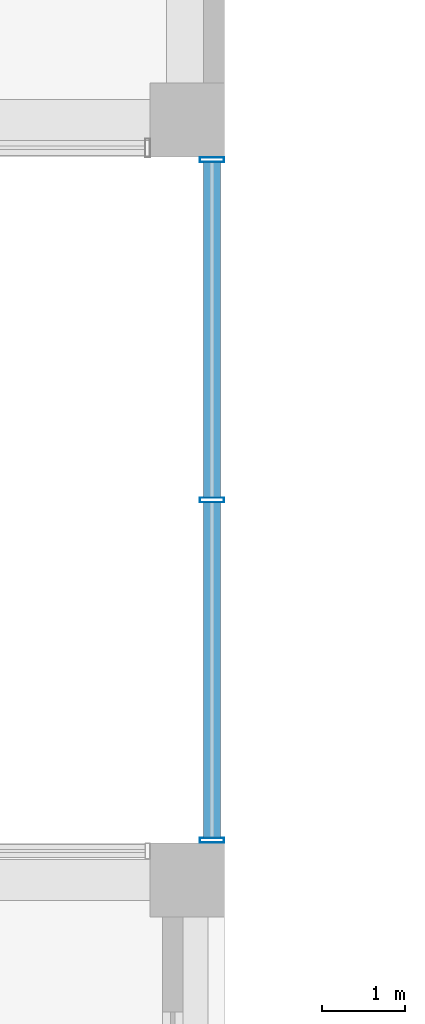
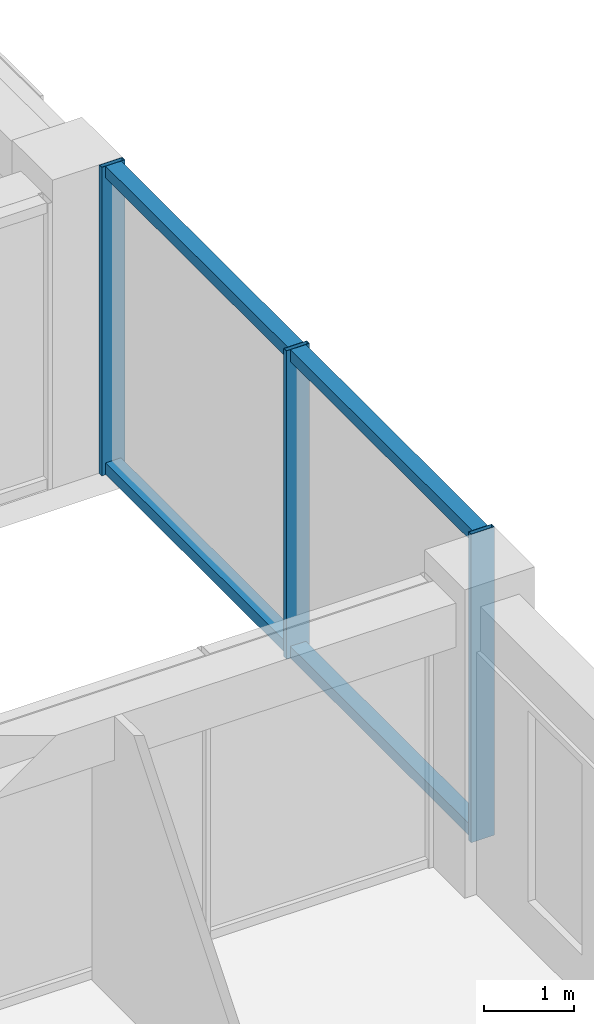
# One storey, part 19 of 36: 7 members, 1 element without a shape of its own.
"""IFC4 building model written with IfcOpenShell, lengths in metres."""

from ifc_helpers import new_model, si_unit, direction, frame, origin, origin_2d, place, context, subcontext, project, spatial, hollow_rectangle, extrude, material, layer, layer_set, material_profile, profile_set, type_object, element, aggregate, save


model = new_model("IFC4")

# Units and contexts
model_context = context("Model", 3, precision=1e-05, world=origin(), true_north=direction((0.0, 1.0)))
body_context = subcontext(model_context, "Body", "Model", "MODEL_VIEW")
ifc_project = project(units=[si_unit("LENGTHUNIT", "METRE"), si_unit("AREAUNIT", "SQUARE_METRE"), si_unit("VOLUMEUNIT", "CUBIC_METRE"), si_unit("PLANEANGLEUNIT", "RADIAN"), si_unit("MASSUNIT", "GRAM", prefix="KILO")], contexts=[model_context])

# Site, building, storey
site_placement = place(None, origin())
site = spatial("IfcSite", under=ifc_project, at=site_placement, CompositionType="ELEMENT")
building_placement = place(site_placement, origin())
building = spatial("IfcBuilding", under=site, at=building_placement, Name="Nzadi Deep Aquarium and Research Tower", CompositionType="ELEMENT")
storey_placement = place(building_placement, frame((0.0, 0.0, 44.5)))
storey = spatial("IfcBuildingStorey", under=building, at=storey_placement, Name="L08", CompositionType="ELEMENT", Elevation=44.5)

# Curtain wall, members
ifc_material_1 = material(Name="Aluminium unitised frame wind post", Category="aluminium")
ifc_layer = layer(ifc_material_1, 0.300048828125)
ifc_layer_set = layer_set([ifc_layer], Name="Aluminium unitised frame wind post")
curtain_wall_type = type_object("IfcCurtainWallType", Name="Curtain wall Slot End 300", PredefinedType="NOTDEFINED", material=ifc_layer_set)
curtain_wall_placement = place(storey_placement, origin())
curtain_wall = element("IfcCurtainWall", 1, at=curtain_wall_placement, inside=storey, type_object=curtain_wall_type, Name="Glazed slot end east L08", PredefinedType="NOTDEFINED")
ifc_material_2 = material(Name="Aluminium unitised frame wind post", Category="aluminium")
ifc_material_profile_1 = material_profile(ifc_material_2, hollow_rectangle(XDim=0.300048828125, YDim=0.06005859375, WallThickness=0.0048828125, at=origin_2d()))
ifc_profile_set_1 = profile_set([ifc_material_profile_1], Name="Aluminium unitised frame wind post")
member_type_1 = type_object("IfcMemberType", Name="Mullion 60x300 Slot End", PredefinedType="MULLION", material=ifc_profile_set_1)
member_1_placement = place(storey_placement, frame((48.300048828125, 18.8798828125, 0.0), z_axis=(0.0, 0.0, 1.0), x_axis=(-1.0, 0.0, 0.0)))
member_1 = element("IfcMember", 2, at=member_1_placement, type_object=member_type_1, Name="CW208 mullion 1", PredefinedType="MULLION", context=body_context, shape_type="SweptSolid", body=[
    extrude(hollow_rectangle(XDim=0.300048828125, YDim=0.06005859375, WallThickness=0.0048828125, at=origin_2d()), origin(), (0.0, 0.0, 1.0), 4.199951171875),
])
member_2_placement = place(storey_placement, frame((48.300048828125, 23.0, 0.0), z_axis=(0.0, 0.0, 1.0), x_axis=(-1.0, 0.0, 0.0)))
member_2 = element("IfcMember", 3, at=member_2_placement, type_object=member_type_1, Name="CW208 mullion 2", PredefinedType="MULLION", context=body_context, shape_type="SweptSolid", body=[
    extrude(hollow_rectangle(XDim=0.300048828125, YDim=0.06005859375, WallThickness=0.0048828125, at=origin_2d()), origin(), (0.0, 0.0, 1.0), 4.199951171875),
])
member_3_placement = place(storey_placement, frame((48.300048828125, 27.1201171875, 0.0), z_axis=(0.0, 0.0, 1.0), x_axis=(-1.0, 0.0, 0.0)))
member_3 = element("IfcMember", 4, at=member_3_placement, type_object=member_type_1, Name="CW208 mullion 3", PredefinedType="MULLION", context=body_context, shape_type="SweptSolid", body=[
    extrude(hollow_rectangle(XDim=0.300048828125, YDim=0.06005859375, WallThickness=0.0048828125, at=origin_2d()), origin(), (0.0, 0.0, 1.0), 4.199951171875),
])
ifc_material_3 = material(Name="Aluminium unitised frame wind post", Category="aluminium")
ifc_material_profile_2 = material_profile(ifc_material_3, hollow_rectangle(XDim=0.199951171875, YDim=0.159912109375, WallThickness=0.0048828125, at=origin_2d()))
ifc_profile_set_2 = profile_set([ifc_material_profile_2], Name="Aluminium unitised frame wind post")
member_type_2 = type_object("IfcMemberType", Name="Transom 160x200 Slot End", PredefinedType="MULLION", material=ifc_profile_set_2)
member_4_placement = place(storey_placement, frame((48.300048828125, 18.909912109375, 0.080078125), z_axis=(0.0, 1.0, 0.0), x_axis=(-1.0, 0.0, 0.0)))
member_4 = element("IfcMember", 5, at=member_4_placement, type_object=member_type_2, Name="CW208 transom 1.1", PredefinedType="MULLION", context=body_context, shape_type="SweptSolid", body=[
    extrude(hollow_rectangle(XDim=0.199951171875, YDim=0.159912109375, WallThickness=0.0048828125, at=origin_2d()), origin(), (0.0, 0.0, 1.0), 4.06005859375),
])
member_5_placement = place(storey_placement, frame((48.300048828125, 18.909912109375, 4.1201171875), z_axis=(0.0, 1.0, 0.0), x_axis=(-1.0, 0.0, 0.0)))
member_5 = element("IfcMember", 6, at=member_5_placement, type_object=member_type_2, Name="CW208 transom 1.2", PredefinedType="MULLION", context=body_context, shape_type="SweptSolid", body=[
    extrude(hollow_rectangle(XDim=0.199951171875, YDim=0.159912109375, WallThickness=0.0048828125, at=origin_2d()), origin(), (0.0, 0.0, 1.0), 4.06005859375),
])
member_6_placement = place(storey_placement, frame((48.300048828125, 23.030029296875, 0.080078125), z_axis=(0.0, 1.0, 0.0), x_axis=(-1.0, 0.0, 0.0)))
member_6 = element("IfcMember", 7, at=member_6_placement, type_object=member_type_2, Name="CW208 transom 2.1", PredefinedType="MULLION", context=body_context, shape_type="SweptSolid", body=[
    extrude(hollow_rectangle(XDim=0.199951171875, YDim=0.159912109375, WallThickness=0.0048828125, at=origin_2d()), origin(), (0.0, 0.0, 1.0), 4.06005859375),
])
member_7_placement = place(storey_placement, frame((48.300048828125, 23.030029296875, 4.1201171875), z_axis=(0.0, 1.0, 0.0), x_axis=(-1.0, 0.0, 0.0)))
member_7 = element("IfcMember", 8, at=member_7_placement, type_object=member_type_2, Name="CW208 transom 2.2", PredefinedType="MULLION", context=body_context, shape_type="SweptSolid", body=[
    extrude(hollow_rectangle(XDim=0.199951171875, YDim=0.159912109375, WallThickness=0.0048828125, at=origin_2d()), origin(), (0.0, 0.0, 1.0), 4.06005859375),
])
aggregate(curtain_wall, [member_1, member_2, member_3, member_4, member_5, member_6, member_7])

save(model, "model.ifc")
